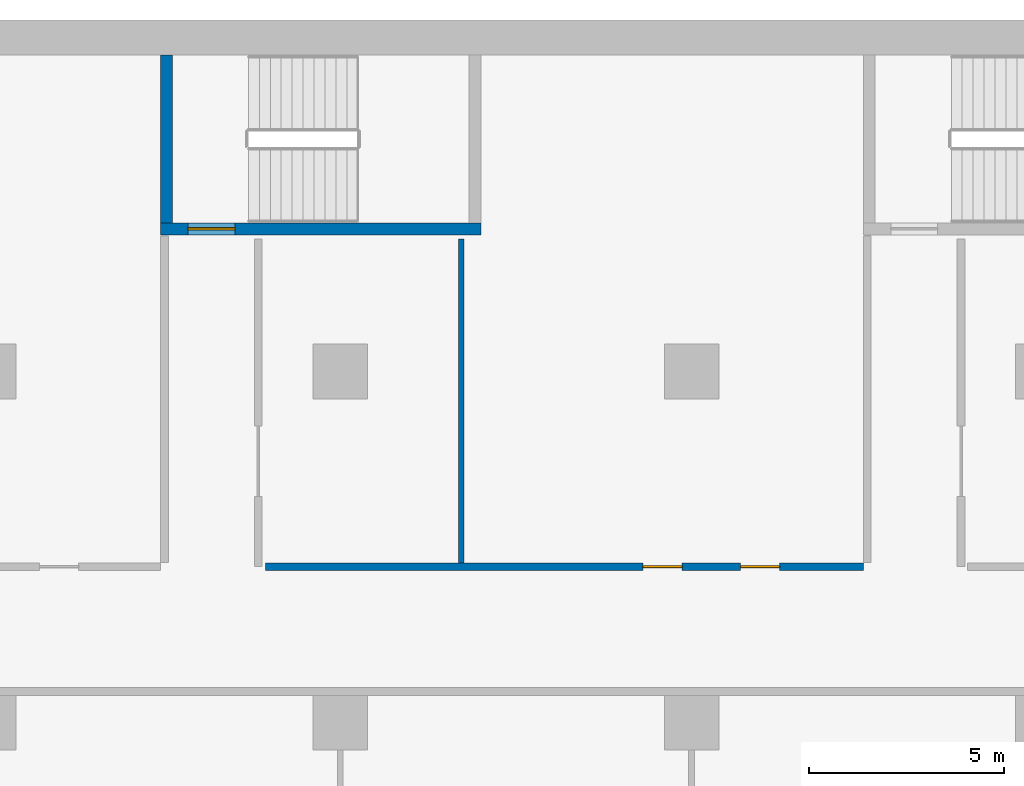
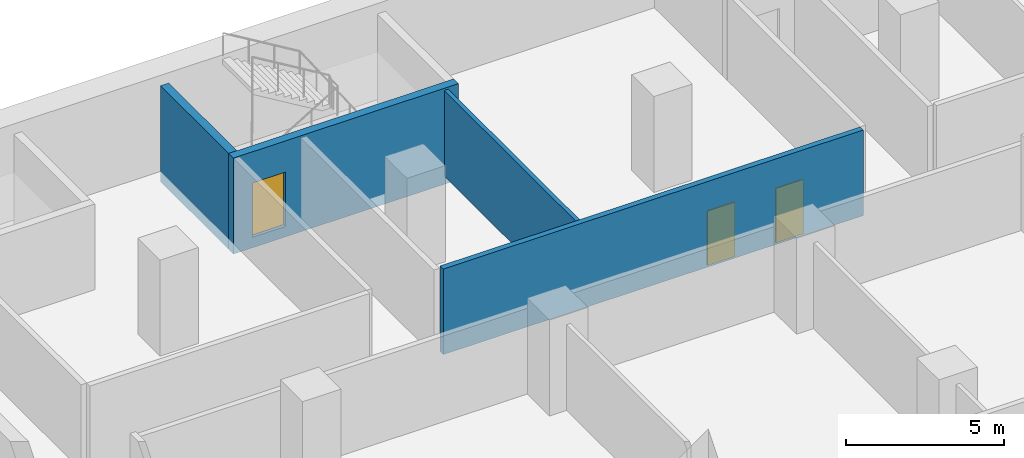
# One storey, part 16 of 28: 4 walls, 3 doors, 3 openings.
"""IFC4 building model written with IfcOpenShell, lengths in metres."""

from ifc_helpers import new_model, si_unit, direction, frame, frame_2d, origin, place, context, subcontext, project, spatial, rectangle, extrude, material, layer, layer_set, type_object, element, fill, save


model = new_model("IFC4")

# Units and contexts
model_context = context("Model", 3, precision=1e-05, world=origin(), true_north=direction((0.0, 1.0)))
body_context = subcontext(model_context, "Body", "Model", "MODEL_VIEW")
ifc_project = project(units=[si_unit("LENGTHUNIT", "METRE"), si_unit("AREAUNIT", "SQUARE_METRE"), si_unit("VOLUMEUNIT", "CUBIC_METRE"), si_unit("PLANEANGLEUNIT", "RADIAN"), si_unit("MASSUNIT", "GRAM", prefix="KILO")], contexts=[model_context])

# Site, building, storey
site_placement = place(None, origin())
site = spatial("IfcSite", under=ifc_project, at=site_placement, CompositionType="ELEMENT")
building_placement = place(site_placement, origin())
building = spatial("IfcBuilding", under=site, at=building_placement, Name="Hunhe Ridgeline Campus", CompositionType="ELEMENT")
storey_placement = place(building_placement, frame((0.0, 0.0, 58.0)))
storey = spatial("IfcBuildingStorey", under=building, at=storey_placement, Name="L13", CompositionType="ELEMENT", Elevation=58.0)

# Wall, openings, doors
ifc_material_1 = material(Name="Gypsum board partition")
ifc_layer_1 = layer(ifc_material_1, 0.199951171875)
ifc_layer_set_1 = layer_set([ifc_layer_1], Name="Corridor partition 200 gypsum board on steel studs")
wall_type_1 = type_object("IfcWallType", Name="Corridor partition 200 gypsum board on steel studs", PredefinedType="PARTITIONING", material=ifc_layer_set_1)
wall_1_placement = place(storey_placement, frame((52.087646484375, 85.0, 0.0), z_axis=(0.0, 0.0, 1.0), x_axis=(1.0, 0.0, 0.0)))
wall_1 = element("IfcWall", 1, at=wall_1_placement, inside=storey, type_object=wall_type_1, Name="F-L13-wall-044", PredefinedType="PARTITIONING", context=body_context, shape_type="SweptSolid", body=[
    extrude(rectangle(XDim=15.312255859375, YDim=0.199951171875, at=frame_2d((7.65625, 0.0))), origin(), (0.0, 0.0, 1.0), 3.300048828125),
])
opening_1_placement = place(wall_1_placement, frame((9.66650390625, 0.0, 0.0)))
opening_1 = element("IfcOpeningElement", 2, at=opening_1_placement, cuts=wall_1, Name="Opening RD1-042", PredefinedType="OPENING", context=body_context, shape_type="SweptSolid", body=[
    extrude(rectangle(XDim=1.0, YDim=2.10009765625, at=frame_2d((0.5, 1.050048828125))), frame((0.0, 0.10009765625, 0.0), z_axis=(0.0, -1.0, 0.0), x_axis=(1.0, 0.0, 0.0)), (0.0, 0.0, 1.0), 0.199951171875),
])
opening_2_placement = place(wall_1_placement, frame((12.16650390625, 0.0, 0.0)))
opening_2 = element("IfcOpeningElement", 3, at=opening_2_placement, cuts=wall_1, Name="Opening RD1-043", PredefinedType="OPENING", context=body_context, shape_type="SweptSolid", body=[
    extrude(rectangle(XDim=1.0, YDim=2.10009765625, at=frame_2d((0.5, 1.050048828125))), frame((0.0, 0.10009765625, 0.0), z_axis=(0.0, -1.0, 0.0), x_axis=(1.0, 0.0, 0.0)), (0.0, 0.0, 1.0), 0.199951171875),
])
ifc_material_2 = material(Name="Timber door leaf", Category="wood")
door_type_1 = type_object("IfcDoorType", Name="Single fire door 1000x2100 timber FD60", OperationType="NOTDEFINED", PredefinedType="DOOR", material=ifc_material_2)
door_1_placement = place(opening_1_placement, frame((1.0, 0.0, 0.0), z_axis=(0.0, 0.0, 1.0), x_axis=(-1.0, 0.0, 0.0)))
door_1 = element("IfcDoor", 4, at=door_1_placement, inside=storey, type_object=door_type_1, Name="F-L13-door-042", OperationType="SINGLE_SWING_RIGHT", OverallHeight=2.10009765625, OverallWidth=1.0, PredefinedType="DOOR", context=body_context, shape_type="SweptSolid", body=[
    extrude(rectangle(XDim=1.0, YDim=2.10009765625, at=frame_2d((0.5, 1.050048828125))), frame((0.0, 0.02490234375, 0.0), z_axis=(0.0, -1.0, 0.0), x_axis=(1.0, 0.0, 0.0)), (0.0, 0.0, 1.0), 0.050048828125),
])
fill(opening_1, door_1)
door_2_placement = place(opening_2_placement, frame((1.0, 0.0, 0.0), z_axis=(0.0, 0.0, 1.0), x_axis=(-1.0, 0.0, 0.0)))
door_2 = element("IfcDoor", 5, at=door_2_placement, inside=storey, type_object=door_type_1, Name="F-L13-door-043", OperationType="SINGLE_SWING_LEFT", OverallHeight=2.10009765625, OverallWidth=1.0, PredefinedType="DOOR", context=body_context, shape_type="SweptSolid", body=[
    extrude(rectangle(XDim=1.0, YDim=2.10009765625, at=frame_2d((0.5, 1.050048828125))), frame((0.0, 0.02490234375, 0.0), z_axis=(0.0, -1.0, 0.0), x_axis=(1.0, 0.0, 0.0)), (0.0, 0.0, 1.0), 0.050048828125),
])
fill(opening_2, door_2)

# Wall
ifc_layer_2 = layer(ifc_material_1, 0.14990234375)
ifc_layer_set_2 = layer_set([ifc_layer_2], Name="Room partition 150 gypsum board on steel studs")
wall_type_2 = type_object("IfcWallType", Name="Room partition 150 gypsum board on steel studs", PredefinedType="PARTITIONING", material=ifc_layer_set_2)
wall_2_placement = place(storey_placement, frame((57.10009765625, 93.39599609375, 0.0), z_axis=(0.0, 0.0, 1.0), x_axis=(0.0, -1.0, 0.0)))
element("IfcWall", 6, at=wall_2_placement, inside=storey, type_object=wall_type_2, Name="F-L13-wall-072", PredefinedType="PARTITIONING", context=body_context, shape_type="SweptSolid", body=[
    extrude(rectangle(XDim=8.2958984375, YDim=0.14990234375, at=frame_2d((4.14794921875, 0.0))), origin(), (0.0, 0.0, 1.0), 3.300048828125),
])

# Wall, opening, door
ifc_material_3 = material(Name="Concrete C80", Category="concrete")
ifc_layer_3 = layer(ifc_material_3, 0.300048828125)
ifc_layer_set_3 = layer_set([ifc_layer_3], Name="Stair wall 300 reinforced concrete C80")
wall_type_3 = type_object("IfcWallType", Name="Stair wall 300 reinforced concrete C80", PredefinedType="SOLIDWALL", material=ifc_layer_set_3)
wall_3_placement = place(storey_placement, frame((49.39990234375, 93.64990234375, -0.39990234375), z_axis=(0.0, 0.0, 1.0), x_axis=(1.0, 0.0, 0.0)))
wall_3 = element("IfcWall", 7, at=wall_3_placement, inside=storey, type_object=wall_type_3, Name="L13 core wall 32", PredefinedType="SOLIDWALL", context=body_context, shape_type="SweptSolid", body=[
    extrude(rectangle(XDim=8.2001953125, YDim=0.300048828125, at=frame_2d((4.10009765625, 0.0))), origin(), (0.0, 0.0, 1.0), 3.699951171875),
])
opening_3_placement = place(wall_3_placement, frame((0.699951171875, 0.0, 0.39990234375)))
opening_3 = element("IfcOpeningElement", 8, at=opening_3_placement, cuts=wall_3, Name="Opening CD18", PredefinedType="OPENING", context=body_context, shape_type="SweptSolid", body=[
    extrude(rectangle(XDim=1.199951171875, YDim=2.10009765625, at=frame_2d((0.60009765625, 1.050048828125))), frame((0.0, 0.14990234375, 0.0), z_axis=(0.0, -1.0, 0.0), x_axis=(1.0, 0.0, 0.0)), (0.0, 0.0, 1.0), 0.300048828125),
])
ifc_material_4 = material(Name="Hollow metal fire door leaf")
door_type_2 = type_object("IfcDoorType", Name="Stair door 1200x2100 FD60", OperationType="SINGLE_SWING_LEFT", PredefinedType="DOOR", material=ifc_material_4)
door_3_placement = place(opening_3_placement, frame((1.199951171875, 0.0, 0.0), z_axis=(0.0, 0.0, 1.0), x_axis=(-1.0, 0.0, 0.0)))
door_3 = element("IfcDoor", 9, at=door_3_placement, inside=storey, type_object=door_type_2, Name="L13 door E2", OperationType="SINGLE_SWING_LEFT", OverallHeight=2.10009765625, OverallWidth=1.199951171875, PredefinedType="DOOR", context=body_context, shape_type="SweptSolid", body=[
    extrude(rectangle(XDim=1.199951171875, YDim=2.10009765625, at=frame_2d((0.60009765625, 1.050048828125))), frame((0.0, 0.02490234375, 0.0), z_axis=(0.0, -1.0, 0.0), x_axis=(1.0, 0.0, 0.0)), (0.0, 0.0, 1.0), 0.050048828125),
])
fill(opening_3, door_3)

# Wall
wall_4_placement = place(storey_placement, frame((49.550048828125, 93.800048828125, -0.39990234375), z_axis=(0.0, 0.0, 1.0), x_axis=(0.0, 1.0, 0.0)))
element("IfcWall", 10, at=wall_4_placement, inside=storey, type_object=wall_type_3, Name="L13 core wall 66", PredefinedType="SOLIDWALL", context=body_context, shape_type="SweptSolid", body=[
    extrude(rectangle(XDim=4.300048828125, YDim=0.300048828125, at=frame_2d((2.14990234375, 0.0))), origin(), (0.0, 0.0, 1.0), 3.699951171875),
])

save(model, "model.ifc")
